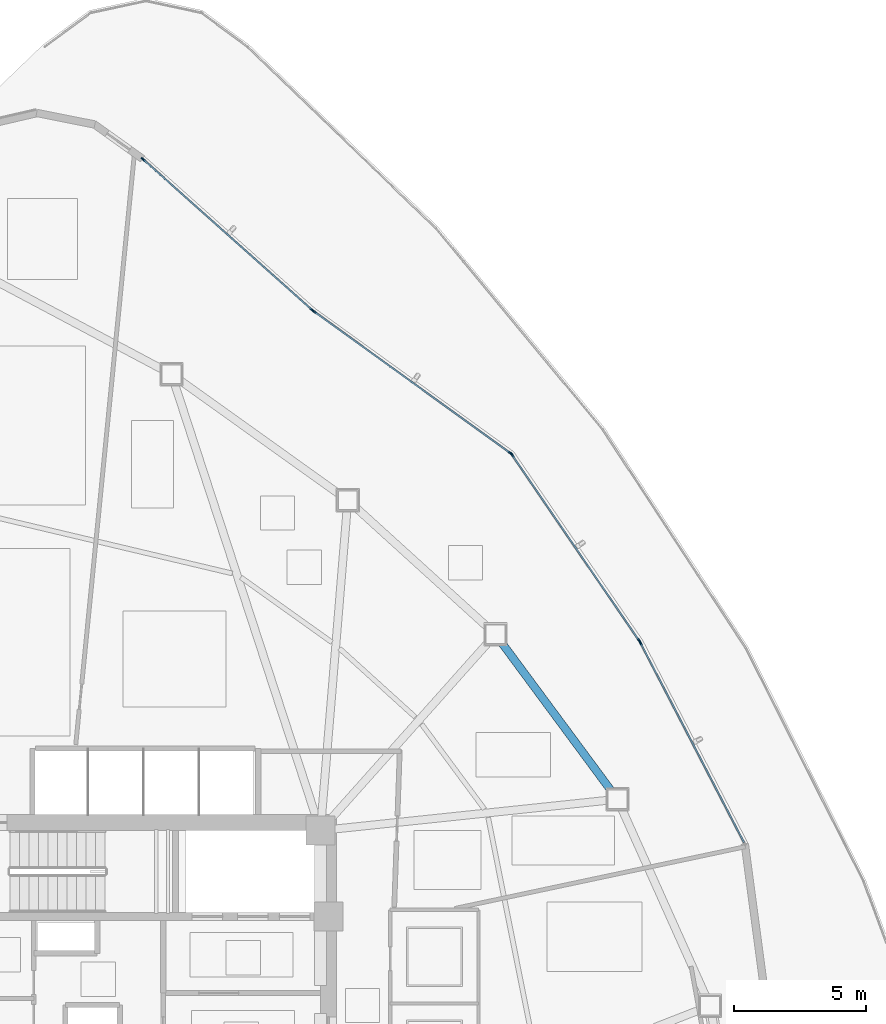
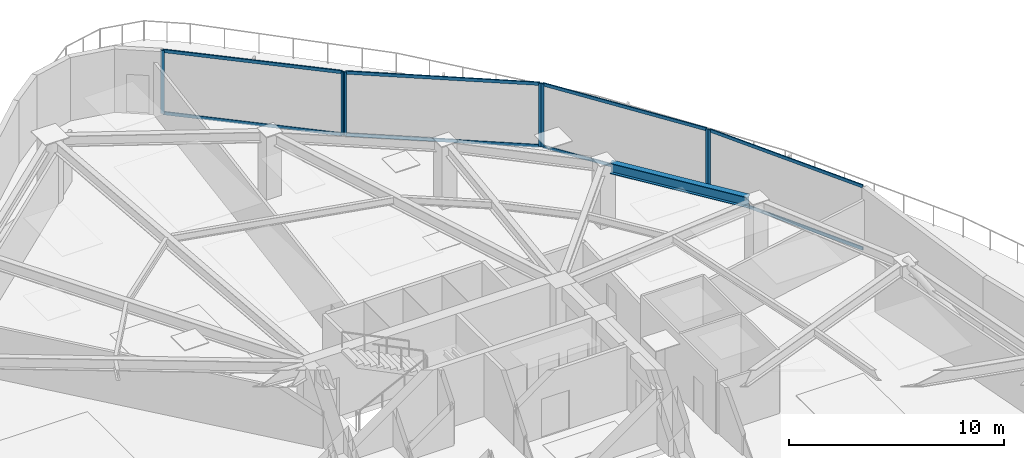
# One storey, part 9 of 19: 15 members, 1 beam, 4 elements without a shape of their own.
"""IFC4 building model written with IfcOpenShell, lengths in metres."""

from ifc_helpers import new_model, si_unit, direction, frame, origin, origin_2d, place, context, subcontext, project, spatial, hollow_rectangle, i_section, extrude, source, transform, mapped, material, layer, layer_set, material_profile, profile_set, type_object, type_shapes, element, aggregate, save


model = new_model("IFC4")

# Units and contexts
model_context = context("Model", 3, precision=1e-05, world=origin(), true_north=direction((0.0, 1.0)))
body_context = subcontext(model_context, "Body", "Model", "MODEL_VIEW")
ifc_project = project(units=[si_unit("LENGTHUNIT", "METRE"), si_unit("AREAUNIT", "SQUARE_METRE"), si_unit("VOLUMEUNIT", "CUBIC_METRE"), si_unit("PLANEANGLEUNIT", "RADIAN"), si_unit("MASSUNIT", "GRAM", prefix="KILO")], contexts=[model_context])

# Site, building, storey
site_placement = place(None, origin())
site = spatial("IfcSite", under=ifc_project, at=site_placement, CompositionType="ELEMENT")
building_placement = place(site_placement, origin())
building = spatial("IfcBuilding", under=site, at=building_placement, Name="Tavelor Broadcast Tower", CompositionType="ELEMENT")
storey_placement = place(building_placement, frame((0.0, 0.0, 27.60009765625)))
storey = spatial("IfcBuildingStorey", under=building, at=storey_placement, Name="L05", CompositionType="ELEMENT", Elevation=27.60009765625)

# Beam
ifc_material_1 = material(Name="Steel S355", Category="steel")
ifc_material_profile_1 = material_profile(ifc_material_1, i_section(OverallWidth=0.300048828125, OverallDepth=0.60009765625, WebThickness=0.015380859375, FlangeThickness=0.030029296875, at=origin_2d()), Name="HEB 600")
ifc_profile_set_1 = profile_set([ifc_material_profile_1], Name="Steel S355")
beam_type = type_object("IfcBeamType", Name="Perimeter Spandrel Beam T1 HEB 600", PredefinedType="SPANDREL", material=ifc_profile_set_1)
beam_placement = place(storey_placement, frame((67.6123046875, 52.69140625, 3.2998046875), z_axis=(-0.594687385164, 0.803957034876, 0.0), x_axis=(-0.803957034876, -0.594687385164, 0.0)))
element("IfcBeam", 1, at=beam_placement, inside=storey, type_object=beam_type, Name="L05 Framed-Tube Ring Spandrel 15", PredefinedType="SPANDREL", context=body_context, shape_type="SweptSolid", body=[
    extrude(i_section(OverallWidth=0.300048828125, OverallDepth=0.60009765625, WebThickness=0.015380859375, FlangeThickness=0.030029296875, at=origin_2d()), origin(), (0.0, 0.0, 1.0), 6.9951171875),
])

# Curtain wall, member
ifc_material_2 = material(Name="Architectural Anodized Aluminium", Category="aluminium")
ifc_layer = layer(ifc_material_2, 0.179931640625)
ifc_layer_set = layer_set([ifc_layer], Name="Architectural Anodized Aluminium")
curtain_wall_type = type_object("IfcCurtainWallType", Name="Tower Low-Zone Unitised Curtain Wall CW02", PredefinedType="NOTDEFINED", material=ifc_layer_set)
curtain_wall_1_placement = place(storey_placement, origin())
curtain_wall_1 = element("IfcCurtainWall", 2, at=curtain_wall_1_placement, inside=storey, type_object=curtain_wall_type, Name="L05 Curtain Wall CW02 Run 21", PredefinedType="NOTDEFINED")
ifc_material_profile_2 = material_profile(ifc_material_2, hollow_rectangle(XDim=0.06494140625, YDim=0.179931640625, WallThickness=0.02197265625, at=origin_2d()), Name="RHS 65x180x22")
ifc_profile_set_2 = profile_set([ifc_material_profile_2], Name="Architectural Anodized Aluminium")
member_type_1 = type_object("IfcMemberType", Name="CW02 Extruded Aluminium Mullion 65x180", PredefinedType="MULLION", material=ifc_profile_set_2)
shared_shape_1 = source(origin(), body_context, "Body", "SweptSolid", [
    extrude(hollow_rectangle(XDim=0.06494140625, YDim=0.179931640625, WallThickness=0.02197265625, at=origin_2d()), origin(), (0.0, 0.0, 1.0), 3.599853515625),
])
type_shapes(member_type_1, [shared_shape_1])
member_1_placement = place(storey_placement, frame((68.712158203125, 58.29833984375, 0.0), z_axis=(0.0, 0.0, 1.0), x_axis=(-0.887618166095, -0.46058005951, 0.0)))
member_1 = element("IfcMember", 3, at=member_1_placement, type_object=member_type_1, Name="CW02 mullion 2", PredefinedType="MULLION", context=body_context, shape_type="MappedRepresentation", body=[
    mapped(shared_shape_1, transform((0.0, 0.0, 0.0), scale=1.0)),
])

# Curtain wall, members
curtain_wall_2_placement = place(storey_placement, origin())
curtain_wall_2 = element("IfcCurtainWall", 4, at=curtain_wall_2_placement, inside=storey, type_object=curtain_wall_type, Name="L05 Curtain Wall CW02 Run 22", PredefinedType="NOTDEFINED")
member_2_placement = place(storey_placement, frame((68.663330078125, 58.379638671875, 0.0), z_axis=(0.0, 0.0, 1.0), x_axis=(-0.825352664561, -0.564617551181, 0.0)))
member_2 = element("IfcMember", 5, at=member_2_placement, type_object=member_type_1, Name="CW02 mullion 1", PredefinedType="MULLION", context=body_context, shape_type="MappedRepresentation", body=[
    mapped(shared_shape_1, transform((0.0, 0.0, 0.0), scale=1.0)),
])
member_3_placement = place(storey_placement, frame((63.8505859375, 65.4150390625, 0.0), z_axis=(0.0, 0.0, 1.0), x_axis=(-0.825352664561, -0.564617551181, 0.0)))
member_3 = element("IfcMember", 6, at=member_3_placement, type_object=member_type_1, Name="CW02 mullion 2", PredefinedType="MULLION", context=body_context, shape_type="MappedRepresentation", body=[
    mapped(shared_shape_1, transform((0.0, 0.0, 0.0), scale=1.0)),
])

curtain_wall_3_placement = place(storey_placement, origin())
curtain_wall_3 = element("IfcCurtainWall", 7, at=curtain_wall_3_placement, inside=storey, type_object=curtain_wall_type, Name="L05 Curtain Wall CW02 Run 23", PredefinedType="NOTDEFINED")
member_4_placement = place(storey_placement, frame((63.78515625, 65.48193359375, 0.0), z_axis=(0.0, 0.0, 1.0), x_axis=(-0.584873287452, -0.811124674526, 0.0)))
member_4 = element("IfcMember", 8, at=member_4_placement, type_object=member_type_1, Name="CW02 mullion 1", PredefinedType="MULLION", context=body_context, shape_type="MappedRepresentation", body=[
    mapped(shared_shape_1, transform((0.0, 0.0, 0.0), scale=1.0)),
])
member_5_placement = place(storey_placement, frame((56.36083984375, 70.83544921875, 0.0), z_axis=(0.0, 0.0, 1.0), x_axis=(-0.584873287452, -0.811124674526, 0.0)))
member_5 = element("IfcMember", 9, at=member_5_placement, type_object=member_type_1, Name="CW02 mullion 2", PredefinedType="MULLION", context=body_context, shape_type="MappedRepresentation", body=[
    mapped(shared_shape_1, transform((0.0, 0.0, 0.0), scale=1.0)),
])

curtain_wall_4_placement = place(storey_placement, origin())
curtain_wall_4 = element("IfcCurtainWall", 10, at=curtain_wall_4_placement, inside=storey, type_object=curtain_wall_type, Name="L05 Curtain Wall CW02 Run 24", PredefinedType="NOTDEFINED")
member_6_placement = place(storey_placement, frame((56.286865234375, 70.894775390625, 0.0), z_axis=(0.0, 0.0, 1.0), x_axis=(-0.665542339381, -0.746360097065, 0.0)))
member_6 = element("IfcMember", 11, at=member_6_placement, type_object=member_type_1, Name="CW02 mullion 1", PredefinedType="MULLION", context=body_context, shape_type="MappedRepresentation", body=[
    mapped(shared_shape_1, transform((0.0, 0.0, 0.0), scale=1.0)),
])
member_7_placement = place(storey_placement, frame((49.889404296875, 76.599609375, 0.0), z_axis=(0.0, 0.0, 1.0), x_axis=(-0.665542339381, -0.746360097065, 0.0)))
member_7 = element("IfcMember", 12, at=member_7_placement, type_object=member_type_1, Name="CW02 mullion 2", PredefinedType="MULLION", context=body_context, shape_type="MappedRepresentation", body=[
    mapped(shared_shape_1, transform((0.0, 0.0, 0.0), scale=1.0)),
])

# Member
ifc_material_profile_3 = material_profile(ifc_material_2, hollow_rectangle(XDim=0.06494140625, YDim=0.179931640625, WallThickness=0.02197265625, at=origin_2d()), Name="RHS 65x180x22")
ifc_profile_set_3 = profile_set([ifc_material_profile_3], Name="Architectural Anodized Aluminium")
member_type_2 = type_object("IfcMemberType", Name="CW02 Extruded Aluminium Transom 65x180", PredefinedType="USERDEFINED", material=ifc_profile_set_3)
shared_shape_2 = source(origin(), body_context, "Body", "SweptSolid", [
    extrude(hollow_rectangle(XDim=0.06494140625, YDim=0.179931640625, WallThickness=0.02197265625, at=origin_2d()), origin(), (0.0, 0.0, 1.0), 8.47412109375),
])
member_8_placement = place(storey_placement, frame((72.630126953125, 50.74755859375, 0.032470703125), z_axis=(-0.460588768648, 0.887613646918, 0.0), x_axis=(-0.887613646918, -0.460588768648, 0.0)))
member_8 = element("IfcMember", 13, at=member_8_placement, type_object=member_type_2, Name="CW02 transom 1.1", ObjectType="TRANSOM", PredefinedType="USERDEFINED", context=body_context, shape_type="MappedRepresentation", body=[
    mapped(shared_shape_2, transform((0.0, 0.0, 0.0), scale=1.0)),
])

member_9_placement = place(storey_placement, frame((72.630126953125, 50.74755859375, 3.5673828125), z_axis=(-0.460588768648, 0.887613646918, 0.0), x_axis=(-0.887613646918, -0.460588768648, 0.0)))
member_9 = element("IfcMember", 14, at=member_9_placement, type_object=member_type_2, Name="CW02 transom 1.2", ObjectType="TRANSOM", PredefinedType="USERDEFINED", context=body_context, shape_type="MappedRepresentation", body=[
    mapped(shared_shape_2, transform((0.0, 0.0, 0.0), scale=1.0)),
])

aggregate(curtain_wall_1, [member_1, member_8, member_9])

shared_shape_3 = source(origin(), body_context, "Body", "SweptSolid", [
    extrude(hollow_rectangle(XDim=0.06494140625, YDim=0.179931640625, WallThickness=0.02197265625, at=origin_2d()), origin(), (0.0, 0.0, 1.0), 8.5068359375),
])
member_10_placement = place(storey_placement, frame((56.2626953125, 70.91650390625, 0.032470703125), z_axis=(-0.746360162524, 0.665542265974, 0.0), x_axis=(-0.665542265974, -0.746360162524, 0.0)))
member_10 = element("IfcMember", 15, at=member_10_placement, type_object=member_type_2, Name="CW02 transom 1.1", ObjectType="TRANSOM", PredefinedType="USERDEFINED", context=body_context, shape_type="MappedRepresentation", body=[
    mapped(shared_shape_3, transform((0.0, 0.0, 0.0), scale=1.0)),
])

member_11_placement = place(storey_placement, frame((56.2626953125, 70.91650390625, 3.5673828125), z_axis=(-0.746360162524, 0.665542265974, 0.0), x_axis=(-0.665542265974, -0.746360162524, 0.0)))
member_11 = element("IfcMember", 16, at=member_11_placement, type_object=member_type_2, Name="CW02 transom 1.2", ObjectType="TRANSOM", PredefinedType="USERDEFINED", context=body_context, shape_type="MappedRepresentation", body=[
    mapped(shared_shape_3, transform((0.0, 0.0, 0.0), scale=1.0)),
])

aggregate(curtain_wall_4, [member_6, member_7, member_10, member_11])

shared_shape_4 = source(origin(), body_context, "Body", "SweptSolid", [
    extrude(hollow_rectangle(XDim=0.06494140625, YDim=0.179931640625, WallThickness=0.02197265625, at=origin_2d()), origin(), (0.0, 0.0, 1.0), 8.458984375),
])
member_12_placement = place(storey_placement, frame((68.64501953125, 58.406494140625, 0.032470703125), z_axis=(-0.564617695671, 0.825352565717, 0.0), x_axis=(-0.825352565717, -0.564617695671, 0.0)))
member_12 = element("IfcMember", 17, at=member_12_placement, type_object=member_type_2, Name="CW02 transom 1.1", ObjectType="TRANSOM", PredefinedType="USERDEFINED", context=body_context, shape_type="MappedRepresentation", body=[
    mapped(shared_shape_4, transform((0.0, 0.0, 0.0), scale=1.0)),
])

member_13_placement = place(storey_placement, frame((68.64501953125, 58.406494140625, 3.5673828125), z_axis=(-0.564617695671, 0.825352565717, 0.0), x_axis=(-0.825352565717, -0.564617695671, 0.0)))
member_13 = element("IfcMember", 18, at=member_13_placement, type_object=member_type_2, Name="CW02 transom 1.2", ObjectType="TRANSOM", PredefinedType="USERDEFINED", context=body_context, shape_type="MappedRepresentation", body=[
    mapped(shared_shape_4, transform((0.0, 0.0, 0.0), scale=1.0)),
])

aggregate(curtain_wall_2, [member_2, member_3, member_12, member_13])

shared_shape_5 = source(origin(), body_context, "Body", "SweptSolid", [
    extrude(hollow_rectangle(XDim=0.06494140625, YDim=0.179931640625, WallThickness=0.02197265625, at=origin_2d()), origin(), (0.0, 0.0, 1.0), 9.088134765625),
])
type_shapes(member_type_2, [shared_shape_2, shared_shape_3, shared_shape_4, shared_shape_5])
member_14_placement = place(storey_placement, frame((63.7587890625, 65.5009765625, 0.032470703125), z_axis=(-0.811122437584, 0.584876389716, 0.0), x_axis=(-0.584876389716, -0.811122437584, 0.0)))
member_14 = element("IfcMember", 19, at=member_14_placement, type_object=member_type_2, Name="CW02 transom 1.1", ObjectType="TRANSOM", PredefinedType="USERDEFINED", context=body_context, shape_type="MappedRepresentation", body=[
    mapped(shared_shape_5, transform((0.0, 0.0, 0.0), scale=1.0)),
])

member_15_placement = place(storey_placement, frame((63.7587890625, 65.5009765625, 3.5673828125), z_axis=(-0.811122437584, 0.584876389716, 0.0), x_axis=(-0.584876389716, -0.811122437584, 0.0)))
member_15 = element("IfcMember", 20, at=member_15_placement, type_object=member_type_2, Name="CW02 transom 1.2", ObjectType="TRANSOM", PredefinedType="USERDEFINED", context=body_context, shape_type="MappedRepresentation", body=[
    mapped(shared_shape_5, transform((0.0, 0.0, 0.0), scale=1.0)),
])

aggregate(curtain_wall_3, [member_4, member_5, member_14, member_15])

save(model, "model.ifc")
